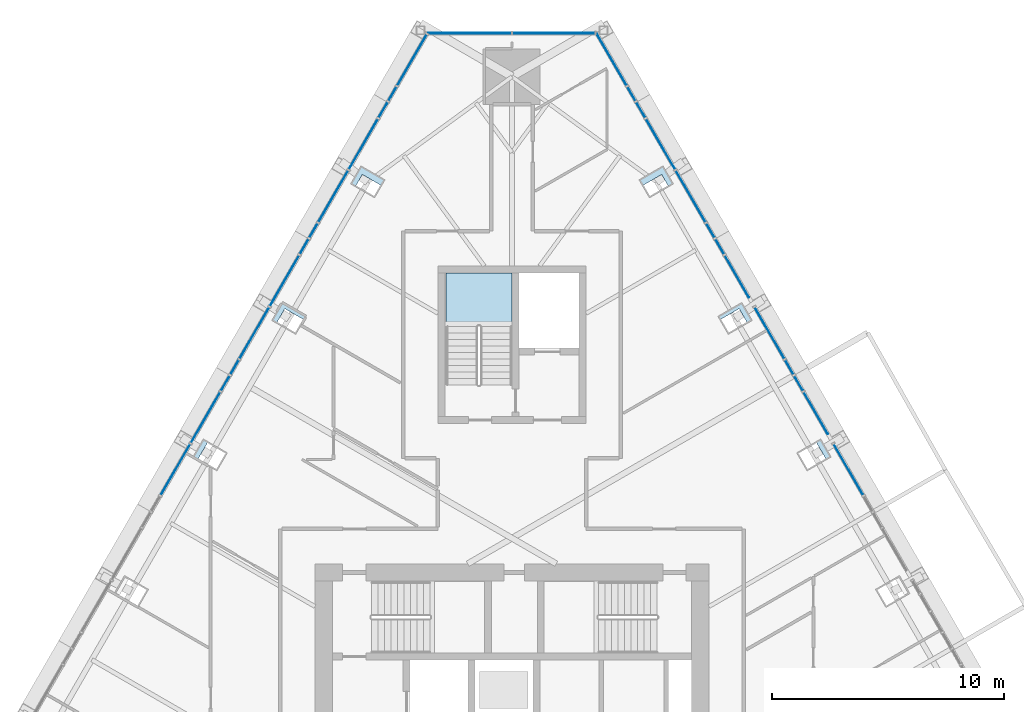
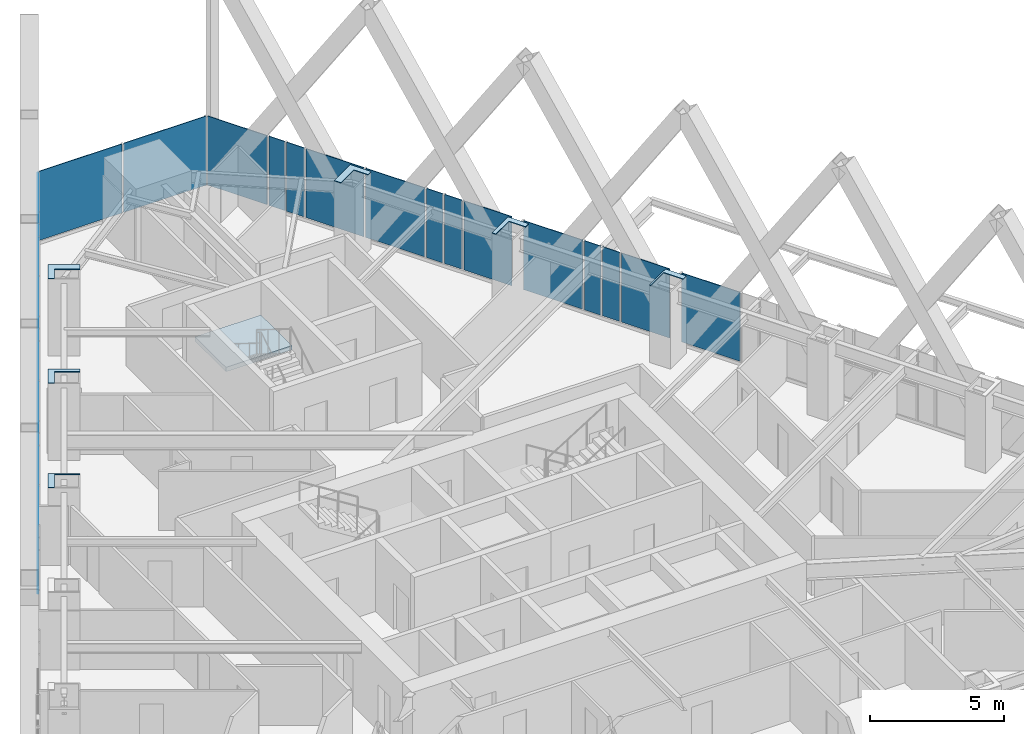
# One storey, part 17 of 24: 34 plates, 1 slab, 4 elements without a shape of their own.
"""IFC4 building model written with IfcOpenShell, lengths in metres."""

from ifc_helpers import new_model, si_unit, direction, frame, origin, place, context, subcontext, project, spatial, polyline, outline, extrude, material, layer, layer_set, type_object, element, aggregate, save


model = new_model("IFC4")

# Units and contexts
model_context = context("Model", 3, precision=1e-05, world=origin(), true_north=direction((0.0, 1.0)))
body_context = subcontext(model_context, "Body", "Model", "MODEL_VIEW")
ifc_project = project(units=[si_unit("LENGTHUNIT", "METRE"), si_unit("AREAUNIT", "SQUARE_METRE"), si_unit("VOLUMEUNIT", "CUBIC_METRE"), si_unit("PLANEANGLEUNIT", "RADIAN"), si_unit("MASSUNIT", "GRAM", prefix="KILO")], contexts=[model_context])

# Site, building, storey
site_placement = place(None, origin())
site = spatial("IfcSite", under=ifc_project, at=site_placement, CompositionType="ELEMENT")
building_placement = place(site_placement, origin())
building = spatial("IfcBuilding", under=site, at=building_placement, Name="Firuza Gate Tower and Library", CompositionType="ELEMENT")
storey_placement = place(building_placement, frame((0.0, 0.0, 260.10009765625)))
storey = spatial("IfcBuildingStorey", under=building, at=storey_placement, Name="L61", CompositionType="ELEMENT", Elevation=260.10009765625)

# Plates
ifc_material_1 = material(Name="Steel S355", Category="steel")
ifc_layer_1 = layer(ifc_material_1, 0.030029296875)
ifc_layer_set_1 = layer_set([ifc_layer_1], Name="Column infill plate 30 Steel S355")
plate_type_1 = type_object("IfcPlateType", Name="Column infill plate 30 Steel S355", PredefinedType="SHEET", material=ifc_layer_set_1)
placement_1 = place(storey_placement, frame((0.0, 0.0, 3.5)))
element("IfcPlate", 1, at=placement_1, inside=storey, type_object=plate_type_1, Name="Infill plate L61:E4", PredefinedType="SHEET", context=body_context, shape_type="SweptSolid", body=[
    extrude(outline(polyline([(87.27587890625, 86.533203125), (87.30517578125, 86.482421875), (88.13916015625, 86.9638671875), (88.559814453125, 86.235107421875), (88.76513671875, 86.353759765625), (88.315185546875, 87.133056640625), (87.27587890625, 86.533203125)])), origin(), (0.0, 0.0, 1.0), 0.02978515625),
])
element("IfcPlate", 2, at=placement_1, inside=storey, type_object=plate_type_1, Name="Infill plate L61:E5", PredefinedType="SHEET", context=body_context, shape_type="SweptSolid", body=[
    extrude(outline(polyline([(83.8759765625, 92.422119140625), (83.9638671875, 92.269775390625), (84.7978515625, 92.751220703125), (85.159912109375, 92.1240234375), (85.365234375, 92.24267578125), (84.915283203125, 93.022216796875), (83.8759765625, 92.422119140625)])), origin(), (0.0, 0.0, 1.0), 0.02978515625),
])
element("IfcPlate", 3, at=placement_1, inside=storey, type_object=plate_type_1, Name="Infill plate L61:E6", PredefinedType="SHEET", context=body_context, shape_type="SweptSolid", body=[
    extrude(outline(polyline([(80.47607421875, 98.31103515625), (80.62255859375, 98.05712890625), (81.45654296875, 98.53857421875), (81.759765625, 98.01318359375), (81.965087890625, 98.131591796875), (81.51513671875, 98.9111328125), (80.47607421875, 98.31103515625)])), origin(), (0.0, 0.0, 1.0), 0.02978515625),
])
element("IfcPlate", 4, at=placement_1, inside=storey, type_object=plate_type_1, Name="Infill plate L61:W1", PredefinedType="SHEET", context=body_context, shape_type="SweptSolid", body=[
    extrude(outline(polyline([(68.034912109375, 98.131591796875), (68.240234375, 98.01318359375), (68.54345703125, 98.53857421875), (69.37744140625, 98.05712890625), (69.52392578125, 98.31103515625), (68.48486328125, 98.9111328125), (68.034912109375, 98.131591796875)])), origin(), (0.0, 0.0, 1.0), 0.02978515625),
])
element("IfcPlate", 5, at=placement_1, inside=storey, type_object=plate_type_1, Name="Infill plate L61:W2", PredefinedType="SHEET", context=body_context, shape_type="SweptSolid", body=[
    extrude(outline(polyline([(64.634765625, 92.24267578125), (64.840087890625, 92.1240234375), (65.2021484375, 92.751220703125), (66.0361328125, 92.269775390625), (66.1240234375, 92.422119140625), (65.084716796875, 93.022216796875), (64.634765625, 92.24267578125)])), origin(), (0.0, 0.0, 1.0), 0.02978515625),
])
element("IfcPlate", 6, at=placement_1, inside=storey, type_object=plate_type_1, Name="Infill plate L61:W3", PredefinedType="SHEET", context=body_context, shape_type="SweptSolid", body=[
    extrude(outline(polyline([(61.23486328125, 86.353759765625), (61.440185546875, 86.235107421875), (61.86083984375, 86.9638671875), (62.69482421875, 86.482421875), (62.72412109375, 86.533203125), (61.684814453125, 87.133056640625), (61.23486328125, 86.353759765625)])), origin(), (0.0, 0.0, 1.0), 0.02978515625),
])

# Curtain wall, plates
ifc_material_2 = material(Name="Aluminium 6063-T6", Category="aluminium")
ifc_layer_2 = layer(ifc_material_2, 0.14990234375)
ifc_layer_set_2 = layer_set([ifc_layer_2], Name="Corner curtain wall, chamfers")
curtain_wall_type_1 = type_object("IfcCurtainWallType", Name="Corner curtain wall, chamfers", PredefinedType="NOTDEFINED", material=ifc_layer_set_2)
placement_2 = place(storey_placement, origin())
curtain_wall_1 = element("IfcCurtainWall", 7, at=placement_2, inside=storey, type_object=curtain_wall_type_1, Name="CW4 L61 N corner", PredefinedType="NOTDEFINED")
ifc_material_3 = material(Name="Fritted glass", Category="glass")
ifc_layer_3 = layer(ifc_material_3, 0.030029296875)
ifc_layer_set_3 = layer_set([ifc_layer_3], Name="Fritted glass unit, corners")
plate_type_2 = type_object("IfcPlateType", Name="Fritted glass unit, corners", PredefinedType="CURTAIN_PANEL", material=ifc_layer_set_3)
plate_7_placement = place(storey_placement, frame((78.603271484375, 104.650390625, 0.14990234375), z_axis=(0.0, 1.0, 0.0), x_axis=(-1.0, 0.0, 0.0)))
plate_7 = element("IfcPlate", 8, at=plate_7_placement, type_object=plate_type_2, Name="Glass unit", PredefinedType="CURTAIN_PANEL", context=body_context, shape_type="SweptSolid", body=[
    extrude(outline(polyline([(0.0, 0.0), (3.563232421875, 0.0), (3.563232421875, 3.14990234375), (0.0, 3.14990234375), (0.0, 0.0)])), origin(), (0.0, 0.0, -1.0), 0.030029296875),
])
plate_8_placement = place(storey_placement, frame((74.9599609375, 104.650390625, 0.14990234375), z_axis=(0.0, 1.0, 0.0), x_axis=(-1.0, 0.0, 0.0)))
plate_8 = element("IfcPlate", 9, at=plate_8_placement, type_object=plate_type_2, Name="Glass unit", PredefinedType="CURTAIN_PANEL", context=body_context, shape_type="SweptSolid", body=[
    extrude(outline(polyline([(0.0, 0.0), (3.563232421875, 0.0), (3.563232421875, 3.14990234375), (0.0, 3.14990234375), (0.0, 0.0)])), origin(), (0.0, 0.0, -1.0), 0.030029296875),
])
aggregate(curtain_wall_1, [plate_7, plate_8])

ifc_material_4 = material(Name="Aluminium 6063-T6", Category="aluminium")
ifc_layer_4 = layer(ifc_material_4, 0.14990234375)
ifc_layer_set_4 = layer_set([ifc_layer_4], Name="Unitised curtain wall, residences")
curtain_wall_type_2 = type_object("IfcCurtainWallType", Name="Unitised curtain wall, residences", PredefinedType="NOTDEFINED", material=ifc_layer_set_4)
curtain_wall_2 = element("IfcCurtainWall", 10, at=placement_2, inside=storey, type_object=curtain_wall_type_2, Name="CW3 L61 E face", PredefinedType="NOTDEFINED")
ifc_material_5 = material(Name="Fritted glass", Category="glass")
ifc_layer_5 = layer(ifc_material_5, 0.030029296875)
ifc_layer_set_5 = layer_set([ifc_layer_5], Name="Fritted glass unit, residences")
plate_type_3 = type_object("IfcPlateType", Name="Fritted glass unit, residences", PredefinedType="CURTAIN_PANEL", material=ifc_layer_set_5)
plate_9_placement = place(storey_placement, frame((87.558349609375, 89.223876953125, 0.14990234375), z_axis=(0.86598042715, 0.500077893725, 0.0), x_axis=(-0.500077893725, 0.86598042715, 0.0)))
plate_9 = element("IfcPlate", 11, at=plate_9_placement, type_object=plate_type_3, Name="Glass unit", PredefinedType="CURTAIN_PANEL", context=body_context, shape_type="SweptSolid", body=[
    extrude(outline(polyline([(0.0, 0.0), (0.733284201023708, 0.0), (0.733284201023708, 3.14990234375), (0.0, 3.14990234375), (0.0, 0.0)])), origin(), (0.0, 0.0, -1.0), 0.030029296875),
])
plate_10_placement = place(storey_placement, frame((87.15185546875, 89.92822265625, 0.14990234375), z_axis=(0.866007679738, 0.500030697692, 0.0), x_axis=(-0.500030697692, 0.866007679738, 0.0)))
plate_10 = element("IfcPlate", 12, at=plate_10_placement, type_object=plate_type_3, Name="Glass unit", PredefinedType="CURTAIN_PANEL", context=body_context, shape_type="SweptSolid", body=[
    extrude(outline(polyline([(0.0, 0.0), (0.7084525980306029, 0.0), (0.7084525980306029, 3.14990234375), (0.0, 3.14990234375), (0.0, 0.0)])), origin(), (0.0, 0.0, -1.0), 0.030029296875),
])
plate_11_placement = place(storey_placement, frame((84.158447265625, 95.113037109375, 0.14990234375), z_axis=(0.86595648724, 0.500119347963, 0.0), x_axis=(-0.500119347963, 0.86595648724, 0.0)))
plate_11 = element("IfcPlate", 13, at=plate_11_placement, type_object=plate_type_3, Name="Glass unit", PredefinedType="CURTAIN_PANEL", context=body_context, shape_type="SweptSolid", body=[
    extrude(outline(polyline([(0.0, 0.0), (0.7454275382329338, 0.0), (0.7454275382329338, 3.14990234375), (0.0, 3.14990234375), (0.0, 0.0)])), origin(), (0.0, 0.0, -1.0), 0.030029296875),
])
plate_12_placement = place(storey_placement, frame((83.74560546875, 95.827880859375, 0.14990234375), z_axis=(0.866033778982, 0.499985493453, 0.0), x_axis=(-0.499985493453, 0.866033778982, 0.0)))
plate_12 = element("IfcPlate", 14, at=plate_12_placement, type_object=plate_type_3, Name="Glass unit", PredefinedType="CURTAIN_PANEL", context=body_context, shape_type="SweptSolid", body=[
    extrude(outline(polyline([(0.0, 0.0), (0.6963092645868378, 0.0), (0.6963092645868378, 3.14990234375), (0.0, 3.14990234375), (0.0, 0.0)])), origin(), (0.0, 0.0, -1.0), 0.030029296875),
])
plate_13_placement = place(storey_placement, frame((80.75830078125, 101.001953125, 0.14990234375), z_axis=(0.866094414679, 0.49988045057, 0.0), x_axis=(-0.49988045057, 0.866094414679, 0.0)))
plate_13 = element("IfcPlate", 15, at=plate_13_placement, type_object=plate_type_3, Name="Glass unit", PredefinedType="CURTAIN_PANEL", context=body_context, shape_type="SweptSolid", body=[
    extrude(outline(polyline([(0.0, 0.0), (0.757993735438506, 0.0), (0.757993735438506, 3.14990234375), (0.0, 3.14990234375), (0.0, 0.0)])), origin(), (0.0, 0.0, -1.0), 0.030029296875),
])
plate_14_placement = place(storey_placement, frame((80.33935546875, 101.7275390625, 0.14990234375), z_axis=(0.86612614293, 0.499825474074, 0.0), x_axis=(-0.499825474074, 0.86612614293, 0.0)))
plate_14 = element("IfcPlate", 16, at=plate_14_placement, type_object=plate_type_3, Name="Glass unit", PredefinedType="CURTAIN_PANEL", context=body_context, shape_type="SweptSolid", body=[
    extrude(outline(polyline([(0.0, 0.0), (0.6838324429813583, 0.0), (0.6838324429813583, 3.14990234375), (0.0, 3.14990234375), (0.0, 0.0)])), origin(), (0.0, 0.0, -1.0), 0.030029296875),
])

curtain_wall_3 = element("IfcCurtainWall", 17, at=placement_2, inside=storey, type_object=curtain_wall_type_2, Name="CW3 L61 W face", PredefinedType="NOTDEFINED")
plate_15_placement = place(storey_placement, frame((70.00244140625, 102.31982421875, 0.14990234375), z_axis=(-0.86612614293, 0.499825474074, 0.0), x_axis=(-0.499825474074, -0.86612614293, 0.0)))
plate_15 = element("IfcPlate", 18, at=plate_15_placement, type_object=plate_type_3, Name="Glass unit", PredefinedType="CURTAIN_PANEL", context=body_context, shape_type="SweptSolid", body=[
    extrude(outline(polyline([(0.0, 0.0), (0.6838324429813583, 0.0), (0.6838324429813583, 3.14990234375), (0.0, 3.14990234375), (0.0, 0.0)])), origin(), (0.0, 0.0, -1.0), 0.030029296875),
])
plate_16_placement = place(storey_placement, frame((69.62060546875, 101.658447265625, 0.14990234375), z_axis=(-0.866094414679, 0.49988045057, 0.0), x_axis=(-0.49988045057, -0.866094414679, 0.0)))
plate_16 = element("IfcPlate", 19, at=plate_16_placement, type_object=plate_type_3, Name="Glass unit", PredefinedType="CURTAIN_PANEL", context=body_context, shape_type="SweptSolid", body=[
    extrude(outline(polyline([(0.0, 0.0), (0.757993735438506, 0.0), (0.757993735438506, 3.14990234375), (0.0, 3.14990234375), (0.0, 0.0)])), origin(), (0.0, 0.0, -1.0), 0.030029296875),
])
plate_17_placement = place(storey_placement, frame((66.6025390625, 96.430908203125, 0.14990234375), z_axis=(-0.866033778982, 0.499985493453, 0.0), x_axis=(-0.499985493453, -0.866033778982, 0.0)))
plate_17 = element("IfcPlate", 20, at=plate_17_placement, type_object=plate_type_3, Name="Glass unit", PredefinedType="CURTAIN_PANEL", context=body_context, shape_type="SweptSolid", body=[
    extrude(outline(polyline([(0.0, 0.0), (0.6963092645868378, 0.0), (0.6963092645868378, 3.14990234375), (0.0, 3.14990234375), (0.0, 0.0)])), origin(), (0.0, 0.0, -1.0), 0.030029296875),
])
plate_18_placement = place(storey_placement, frame((66.21435546875, 95.758544921875, 0.14990234375), z_axis=(-0.86595648724, 0.500119347963, 0.0), x_axis=(-0.500119347963, -0.86595648724, 0.0)))
plate_18 = element("IfcPlate", 21, at=plate_18_placement, type_object=plate_type_3, Name="Glass unit", PredefinedType="CURTAIN_PANEL", context=body_context, shape_type="SweptSolid", body=[
    extrude(outline(polyline([(0.0, 0.0), (0.7454275382329338, 0.0), (0.7454275382329338, 3.14990234375), (0.0, 3.14990234375), (0.0, 0.0)])), origin(), (0.0, 0.0, -1.0), 0.030029296875),
])
plate_19_placement = place(storey_placement, frame((63.202392578125, 90.541748046875, 0.14990234375), z_axis=(-0.866007679738, 0.500030697692, 0.0), x_axis=(-0.500030697692, -0.866007679738, 0.0)))
plate_19 = element("IfcPlate", 22, at=plate_19_placement, type_object=plate_type_3, Name="Glass unit", PredefinedType="CURTAIN_PANEL", context=body_context, shape_type="SweptSolid", body=[
    extrude(outline(polyline([(0.0, 0.0), (0.7084525980306029, 0.0), (0.7084525980306029, 3.14990234375), (0.0, 3.14990234375), (0.0, 0.0)])), origin(), (0.0, 0.0, -1.0), 0.030029296875),
])
plate_20_placement = place(storey_placement, frame((62.808349609375, 89.85888671875, 0.14990234375), z_axis=(-0.86598042715, 0.500077893725, 0.0), x_axis=(-0.500077893725, -0.86598042715, 0.0)))
plate_20 = element("IfcPlate", 23, at=plate_20_placement, type_object=plate_type_3, Name="Glass unit", PredefinedType="CURTAIN_PANEL", context=body_context, shape_type="SweptSolid", body=[
    extrude(outline(polyline([(0.0, 0.0), (0.733284201023708, 0.0), (0.733284201023708, 3.14990234375), (0.0, 3.14990234375), (0.0, 0.0)])), origin(), (0.0, 0.0, -1.0), 0.030029296875),
])

# Plate
ifc_material_6 = material(Name="Glazed ceramic tile")
ifc_layer_6 = layer(ifc_material_6, 0.030029296875)
ifc_layer_set_6 = layer_set([ifc_layer_6], Name="Opaque ceramic panel, residences")
plate_type_4 = type_object("IfcPlateType", Name="Opaque ceramic panel, residences", PredefinedType="CURTAIN_PANEL", material=ifc_layer_set_6)
plate_21_placement = place(storey_placement, frame((90.157470703125, 84.72216796875, 0.14990234375), z_axis=(0.86602137294, 0.500006981563, 0.0), x_axis=(-0.500006981563, 0.86602137294, 0.0)))
plate_21 = element("IfcPlate", 24, at=plate_21_placement, type_object=plate_type_4, Name="Opaque ceramic panel", PredefinedType="CURTAIN_PANEL", context=body_context, shape_type="SweptSolid", body=[
    extrude(outline(polyline([(0.0, 0.0), (2.525355363143829, 0.0), (2.525355363143829, 3.14990234375), (0.0, 3.14990234375), (0.0, 0.0)])), origin(), (0.0, 0.0, -1.0), 0.030029296875),
])

plate_22_placement = place(storey_placement, frame((88.634521484375, 87.360107421875, 0.14990234375), z_axis=(0.86603059841, 0.499991002537, 0.0), x_axis=(-0.499991002537, 0.86603059841, 0.0)))
plate_22 = element("IfcPlate", 25, at=plate_22_placement, type_object=plate_type_4, Name="Opaque ceramic panel", PredefinedType="CURTAIN_PANEL", context=body_context, shape_type="SweptSolid", body=[
    extrude(outline(polyline([(0.0, 0.0), (2.0723029159368918, 0.0), (2.0723029159368918, 3.14990234375), (0.0, 3.14990234375), (0.0, 0.0)])), origin(), (0.0, 0.0, -1.0), 0.030029296875),
])

plate_23_placement = place(storey_placement, frame((86.757568359375, 90.611083984375, 0.14990234375), z_axis=(0.866038197649, 0.499977839722, 0.0), x_axis=(-0.499977839722, 0.866038197649, 0.0)))
plate_23 = element("IfcPlate", 26, at=plate_23_placement, type_object=plate_type_4, Name="Opaque ceramic panel", PredefinedType="CURTAIN_PANEL", context=body_context, shape_type="SweptSolid", body=[
    extrude(outline(polyline([(0.0, 0.0), (2.53771012897228, 0.0), (2.53771012897228, 3.14990234375), (0.0, 3.14990234375), (0.0, 0.0)])), origin(), (0.0, 0.0, -1.0), 0.030029296875),
])

plate_24_placement = place(storey_placement, frame((85.234375, 93.2490234375, 0.14990234375), z_axis=(0.866081610068, 0.499902635222, 0.0), x_axis=(-0.499902635222, 0.866081610068, 0.0)))
plate_24 = element("IfcPlate", 27, at=plate_24_placement, type_object=plate_type_4, Name="Opaque ceramic panel", PredefinedType="CURTAIN_PANEL", context=body_context, shape_type="SweptSolid", body=[
    extrude(outline(polyline([(0.0, 0.0), (2.072180858607746, 0.0), (2.072180858607746, 3.14990234375), (0.0, 3.14990234375), (0.0, 0.0)])), origin(), (0.0, 0.0, -1.0), 0.030029296875),
])

plate_25_placement = place(storey_placement, frame((83.357421875, 96.5, 0.14990234375), z_axis=(0.866054858364, 0.499948979701, 0.0), x_axis=(-0.499948979701, 0.866054858364, 0.0)))
plate_25 = element("IfcPlate", 28, at=plate_25_placement, type_object=plate_type_4, Name="Opaque ceramic panel", PredefinedType="CURTAIN_PANEL", context=body_context, shape_type="SweptSolid", body=[
    extrude(outline(polyline([(0.0, 0.0), (2.550064897646382, 0.0), (2.550064897646382, 3.14990234375), (0.0, 3.14990234375), (0.0, 0.0)])), origin(), (0.0, 0.0, -1.0), 0.030029296875),
])

plate_26_placement = place(storey_placement, frame((82.04248046875, 98.77783203125, 0.14990234375), z_axis=(0.866012380058, 0.500022557078, 0.0), x_axis=(-0.500022557078, 0.866012380058, 0.0)))
plate_26 = element("IfcPlate", 29, at=plate_26_placement, type_object=plate_type_4, Name="Opaque ceramic panel", PredefinedType="CURTAIN_PANEL", context=body_context, shape_type="SweptSolid", body=[
    extrude(outline(polyline([(0.0, 0.0), (2.4881689983541566, 0.0), (2.4881689983541566, 3.14990234375), (0.0, 3.14990234375), (0.0, 0.0)])), origin(), (0.0, 0.0, -1.0), 0.030029296875),
])

plate_27_placement = place(storey_placement, frame((79.95751953125, 102.38916015625, 0.14990234375), z_axis=(0.866006284171, 0.50003311468, 0.0), x_axis=(-0.50003311468, 0.866006284171, 0.0)))
plate_27 = element("IfcPlate", 30, at=plate_27_placement, type_object=plate_type_4, Name="Opaque ceramic panel", PredefinedType="CURTAIN_PANEL", context=body_context, shape_type="SweptSolid", body=[
    extrude(outline(polyline([(0.0, 0.0), (2.5623302985033143, 0.0), (2.5623302985033143, 3.149902343750001), (0.0, 3.149902343750001), (0.0, 0.0)])), origin(), (0.0, 0.0, -1.0), 0.030029296875),
])

aggregate(curtain_wall_2, [plate_21, plate_22, plate_9, plate_10, plate_23, plate_24, plate_11, plate_12, plate_25, plate_26, plate_13, plate_14, plate_27])

plate_28_placement = place(storey_placement, frame((71.32373046875, 104.608154296875, 0.14990234375), z_axis=(-0.866006284171, 0.50003311468, 0.0), x_axis=(-0.50003311468, -0.866006284171, 0.0)))
plate_28 = element("IfcPlate", 31, at=plate_28_placement, type_object=plate_type_4, Name="Opaque ceramic panel", PredefinedType="CURTAIN_PANEL", context=body_context, shape_type="SweptSolid", body=[
    extrude(outline(polyline([(0.0, 0.0), (2.5623302985033143, 0.0), (2.5623302985033143, 3.149902343750001), (0.0, 3.149902343750001), (0.0, 0.0)])), origin(), (0.0, 0.0, -1.0), 0.030029296875),
])

plate_29_placement = place(storey_placement, frame((69.20166015625, 100.9326171875, 0.14990234375), z_axis=(-0.866012380058, 0.500022557078, 0.0), x_axis=(-0.500022557078, -0.866012380058, 0.0)))
plate_29 = element("IfcPlate", 32, at=plate_29_placement, type_object=plate_type_4, Name="Opaque ceramic panel", PredefinedType="CURTAIN_PANEL", context=body_context, shape_type="SweptSolid", body=[
    extrude(outline(polyline([(0.0, 0.0), (2.4881689983541566, 0.0), (2.4881689983541566, 3.14990234375), (0.0, 3.14990234375), (0.0, 0.0)])), origin(), (0.0, 0.0, -1.0), 0.030029296875),
])

plate_30_placement = place(storey_placement, frame((67.91748046875, 98.70849609375, 0.14990234375), z_axis=(-0.866054858364, 0.499948979701, 0.0), x_axis=(-0.499948979701, -0.866054858364, 0.0)))
plate_30 = element("IfcPlate", 33, at=plate_30_placement, type_object=plate_type_4, Name="Opaque ceramic panel", PredefinedType="CURTAIN_PANEL", context=body_context, shape_type="SweptSolid", body=[
    extrude(outline(polyline([(0.0, 0.0), (2.550064897646382, 0.0), (2.550064897646382, 3.14990234375), (0.0, 3.14990234375), (0.0, 0.0)])), origin(), (0.0, 0.0, -1.0), 0.030029296875),
])

plate_31_placement = place(storey_placement, frame((65.801513671875, 95.043701171875, 0.14990234375), z_axis=(-0.866029499929, 0.499992905202, 0.0), x_axis=(-0.499992905202, -0.866029499929, 0.0)))
plate_31 = element("IfcPlate", 34, at=plate_31_placement, type_object=plate_type_4, Name="Opaque ceramic panel", PredefinedType="CURTAIN_PANEL", context=body_context, shape_type="SweptSolid", body=[
    extrude(outline(polyline([(0.0, 0.0), (2.5005237626737475, 0.0), (2.5005237626737475, 3.14990234375), (0.0, 3.14990234375), (0.0, 0.0)])), origin(), (0.0, 0.0, -1.0), 0.030029296875),
])

plate_32_placement = place(storey_placement, frame((64.51123046875, 92.808837890625, 0.14990234375), z_axis=(-0.866038197649, 0.499977839722, 0.0), x_axis=(-0.499977839722, -0.866038197649, 0.0)))
plate_32 = element("IfcPlate", 35, at=plate_32_placement, type_object=plate_type_4, Name="Opaque ceramic panel", PredefinedType="CURTAIN_PANEL", context=body_context, shape_type="SweptSolid", body=[
    extrude(outline(polyline([(0.0, 0.0), (2.53771012897228, 0.0), (2.53771012897228, 3.14990234375), (0.0, 3.14990234375), (0.0, 0.0)])), origin(), (0.0, 0.0, -1.0), 0.030029296875),
])

plate_33_placement = place(storey_placement, frame((62.401611328125, 89.15478515625, 0.14990234375), z_axis=(-0.866046450459, 0.499963544319, 0.0), x_axis=(-0.499963544319, -0.866046450459, 0.0)))
plate_33 = element("IfcPlate", 36, at=plate_33_placement, type_object=plate_type_4, Name="Opaque ceramic panel", PredefinedType="CURTAIN_PANEL", context=body_context, shape_type="SweptSolid", body=[
    extrude(outline(polyline([(0.0, 0.0), (2.5128785298959366, 0.0), (2.5128785298959366, 3.14990234375), (0.0, 3.14990234375), (0.0, 0.0)])), origin(), (0.0, 0.0, -1.0), 0.030029296875),
])

plate_34_placement = place(storey_placement, frame((61.105224609375, 86.9091796875, 0.14990234375), z_axis=(-0.86602137294, 0.500006981563, 0.0), x_axis=(-0.500006981563, -0.86602137294, 0.0)))
plate_34 = element("IfcPlate", 37, at=plate_34_placement, type_object=plate_type_4, Name="Opaque ceramic panel", PredefinedType="CURTAIN_PANEL", context=body_context, shape_type="SweptSolid", body=[
    extrude(outline(polyline([(0.0, 0.0), (2.525355363143829, 0.0), (2.525355363143829, 3.14990234375), (0.0, 3.14990234375), (0.0, 0.0)])), origin(), (0.0, 0.0, -1.0), 0.030029296875),
])

aggregate(curtain_wall_3, [plate_28, plate_15, plate_16, plate_29, plate_30, plate_17, plate_18, plate_31, plate_32, plate_19, plate_20, plate_33, plate_34])

# Stair, slab
ifc_material_7 = material(Name="Concrete C35/45", Category="concrete")
stair_type = type_object("IfcStairType", Name="Exit stair ST17", PredefinedType="HALF_TURN_STAIR", material=ifc_material_7)
stair = element("IfcStair", 38, at=placement_2, inside=storey, type_object=stair_type, Name="L61 Stair ST3", PredefinedType="HALF_TURN_STAIR")
ifc_material_8 = material(Name="Concrete C35/45", Category="concrete")
ifc_layer_7 = layer(ifc_material_8, 0.199951171875)
ifc_layer_set_7 = layer_set([ifc_layer_7], Name="Stair landing 200")
slab_type = type_object("IfcSlabType", Name="Stair landing 200", PredefinedType="LANDING", material=ifc_layer_set_7)
slab_placement = place(storey_placement, frame((0.0, 0.0, 1.5498046875)))
slab = element("IfcSlab", 39, at=slab_placement, type_object=slab_type, Name="ST3 landing 1", PredefinedType="LANDING", context=body_context, shape_type="SweptSolid", body=[
    extrude(outline(polyline([(75.0, 91.989990234375), (75.0, 94.300048828125), (72.159912109375, 94.300048828125), (72.159912109375, 91.989990234375), (75.0, 91.989990234375)])), origin(), (0.0, 0.0, 1.0), 0.2001953125),
])
aggregate(stair, [slab])

save(model, "model.ifc")
